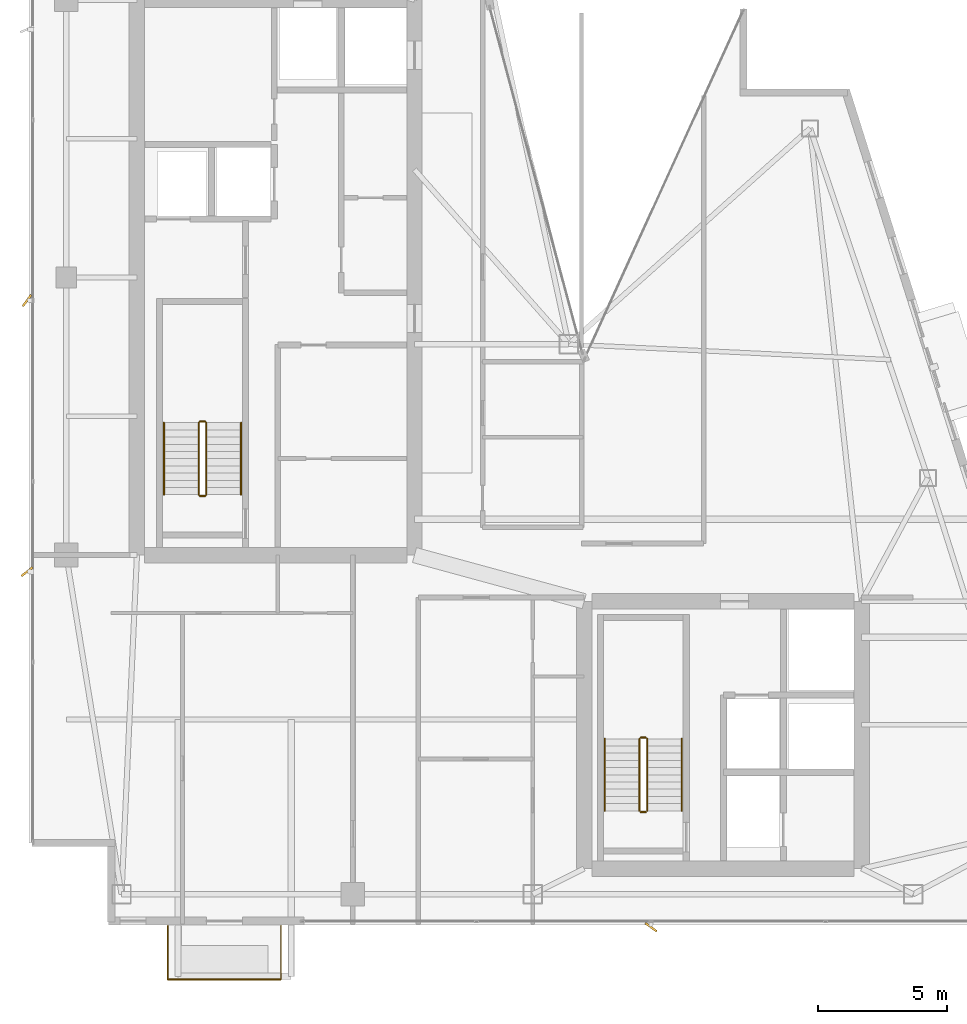
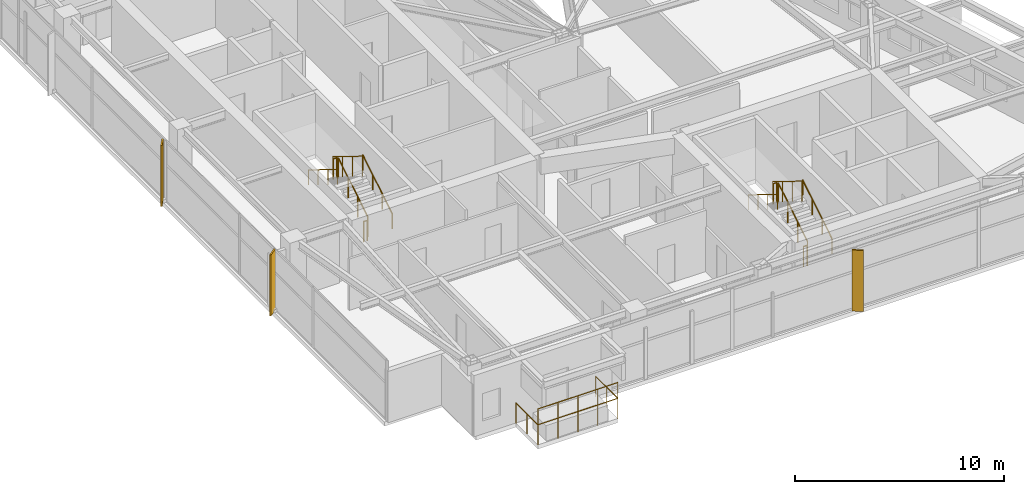
# One storey, part 26 of 27: 14 railings, 3 shading devices.
"""IFC4 building model written with IfcOpenShell, lengths in metres."""

import ifcopenshell
import ifcopenshell.guid

model = None  # the IFC model being written
_history = None  # IfcOwnerHistory: only IFC2X3 demands one
_inside = {}  # id of a spatial element -> (the spatial element, [elements in it])
_under = {}  # id of a project, library or spatial element -> (it, [spatial elements below it])
_declared = {}  # id of a project -> (the project, [libraries it declares])
_typed = {}  # id of a type object -> (the type object, [elements of that type])
_made_of = {}  # id of a material, layer set ... -> (it, [elements and type objects made of it])


def new_model(schema):
    """Start an empty IFC model of exactly this schema.

    Asked for "IFC4X3", IfcOpenShell would pick the latest addendum, in which some entities
    have other attributes; the version numbers below select the first issue.
    IFC2X3 requires an IfcOwnerHistory on every rooted entity: one is made here for all.
    """
    global model, _history
    if schema == "IFC4X3":
        model = ifcopenshell.file(schema_version=(4, 3, 0, 0))
    else:
        model = ifcopenshell.file(schema=schema)
    _inside.clear()
    _under.clear()
    _declared.clear()
    _typed.clear()
    _made_of.clear()
    _history = None
    if model.schema == "IFC2X3":
        org = make("IfcOrganization", Name="unknown")
        user = make(
            "IfcPersonAndOrganization",
            ThePerson=make("IfcPerson", FamilyName="unknown"),
            TheOrganization=org,
        )
        app = make(
            "IfcApplication",
            ApplicationDeveloper=org,
            Version="unknown",
            ApplicationFullName="unknown",
            ApplicationIdentifier="unknown",
        )
        _history = make(
            "IfcOwnerHistory",
            OwningUser=user,
            OwningApplication=app,
            ChangeAction="ADDED",
            CreationDate=0,
        )
    return model


def make(cls, **values):
    """One entity of the class cls with the attributes given. An attribute that is None is left unset."""
    return model.create_entity(
        cls, **{name: value for name, value in values.items() if value is not None}
    )


def rooted(cls, **values):
    """An entity with a GlobalId (a new one), such as an element, a storey or a relation."""
    return make(cls, GlobalId=ifcopenshell.guid.new(), OwnerHistory=_history, **values)


def si_unit(unit_type, name, prefix=None):
    """IfcSIUnit, for example si_unit("LENGTHUNIT", "METRE", prefix="MILLI")."""
    return make("IfcSIUnit", UnitType=unit_type, Prefix=prefix, Name=name)


def assignment(units):
    """IfcUnitAssignment: the units of a project."""
    return None if units is None else make("IfcUnitAssignment", Units=units)


def point(xyz):
    """IfcCartesianPoint."""
    return None if xyz is None else make("IfcCartesianPoint", Coordinates=xyz)


def direction(xyz):
    """IfcDirection."""
    return None if xyz is None else make("IfcDirection", DirectionRatios=xyz)


def frame(location, z_axis=None, x_axis=None):
    """IfcAxis2Placement3D, a coordinate frame: its origin and axes. An axis left out is left unset."""
    return make(
        "IfcAxis2Placement3D",
        Location=point(location),
        Axis=direction(z_axis),
        RefDirection=direction(x_axis),
    )


def frame_2d(location, x_axis=None):
    """IfcAxis2Placement2D, a coordinate frame in the plane: its origin and x axis."""
    return make(
        "IfcAxis2Placement2D", Location=point(location), RefDirection=direction(x_axis)
    )


def origin():
    """The frame at (0, 0, 0) with its axes left unset."""
    return frame((0.0, 0.0, 0.0))


def origin_2d():
    """The frame at (0, 0) in the plane with its x axis left unset."""
    return frame_2d((0.0, 0.0))


def place(relative_to, where):
    """IfcLocalPlacement: puts the frame where relative to a parent placement (None: the world)."""
    return make(
        "IfcLocalPlacement", PlacementRelTo=relative_to, RelativePlacement=where
    )


def context(
    kind, dimensions, precision=None, world=None, true_north=None, identifier=None
):
    """IfcGeometricRepresentationContext, for example the 3D "Model" context."""
    return make(
        "IfcGeometricRepresentationContext",
        ContextIdentifier=identifier,
        ContextType=kind,
        CoordinateSpaceDimension=dimensions,
        Precision=precision,
        WorldCoordinateSystem=world,
        TrueNorth=true_north,
    )


def subcontext(parent, identifier, kind, view, scale=None):
    """IfcGeometricRepresentationSubContext, for example "Body" below "Model"."""
    return make(
        "IfcGeometricRepresentationSubContext",
        ContextIdentifier=identifier,
        ContextType=kind,
        ParentContext=parent,
        TargetScale=scale,
        TargetView=view,
    )


def project(units=None, contexts=None):
    """IfcProject with its units and contexts."""
    return rooted(
        "IfcProject",
        Name="project",
        RepresentationContexts=contexts,
        UnitsInContext=assignment(units),
    )


def spatial(cls, under=None, at=None, **own):
    """A site, building, storey or space (cls), placed at a placement, below another one or the project."""
    s = rooted(cls, ObjectPlacement=at, **own)
    if under is not None:
        _under.setdefault(under.id(), (under, []))[1].append(s)
    return s


def profile(cls, at=None, kind="AREA", **sizes):
    """A parametric profile (cls). Its sizes go by their IFC names, for example OverallWidth=200.0."""
    return make(cls, ProfileType=kind, Position=at, **sizes)


def rectangle(**sizes):
    """IfcRectangleProfileDef."""
    return profile("IfcRectangleProfileDef", **sizes)


def circle(**sizes):
    """IfcCircleProfileDef."""
    return profile("IfcCircleProfileDef", **sizes)


def extrude(swept, where, along, depth):
    """IfcExtrudedAreaSolid: the profile swept, set in the frame where, extruded along a direction by depth."""
    return make(
        "IfcExtrudedAreaSolid",
        SweptArea=swept,
        Position=where,
        ExtrudedDirection=direction(along),
        Depth=depth,
    )


def shape(context_of_items, identifier, shape_type, items):
    """IfcShapeRepresentation: the items that make up one representation, for example the "Body"."""
    return make(
        "IfcShapeRepresentation",
        ContextOfItems=context_of_items,
        RepresentationIdentifier=identifier,
        RepresentationType=shape_type,
        Items=items,
    )


def material(Name=None, Category=None):
    """IfcMaterial."""
    return make("IfcMaterial", Name=Name, Category=Category)


def made_of(thing, what):
    """Note that an element or type object is made of a material, layer set ...; save() writes the relation."""
    if what is not None:
        _made_of.setdefault(what.id(), (what, []))[1].append(thing)
    return thing


def type_object(cls, material=None, **own):
    """A type object (cls), such as IfcWallType, which elements share."""
    return made_of(rooted(cls, **own), material)


def element(
    cls,
    number,
    at=None,
    inside=None,
    cuts=None,
    type_object=None,
    material=None,
    context=None,
    identifier="Body",
    shape_type=None,
    held_by="IfcProductDefinitionShape",
    body=None,
    shapes=None,
    **own,
):
    """One element of the class cls, such as IfcWall. Its Tag is "e" and its number.

    at: its placement. inside: the storey or other place that contains it. cuts: it is an
    opening in that element (IfcRelVoidsElement). A single representation is given by context,
    identifier, shape_type and body (its items); several are given by shapes. held_by: the class
    of the entity that holds the representations. save() writes the other relations.
    """
    e = rooted(cls, Tag="e%d" % number, ObjectPlacement=at, **own)
    if body is not None:
        shapes = [shape(context, identifier, shape_type, body)]
    if shapes is not None:
        e.Representation = make(held_by, Representations=shapes)
    if inside is not None:
        _inside.setdefault(inside.id(), (inside, []))[1].append(e)
    if cuts is not None:
        rooted(
            "IfcRelVoidsElement", RelatingBuildingElement=cuts, RelatedOpeningElement=e
        )
    if type_object is not None:
        _typed.setdefault(type_object.id(), (type_object, []))[1].append(e)
    return made_of(e, material)


def aggregate(whole, parts):
    """IfcRelAggregates: a whole, such as a stair, and the parts it consists of."""
    return rooted("IfcRelAggregates", RelatingObject=whole, RelatedObjects=parts)


def save(model, path):
    """Write the relations noted so far, then the file.

    IfcRelAggregates (storeys below a building ...), IfcRelContainedInSpatialStructure (elements
    in a storey), IfcRelDefinesByType, IfcRelAssociatesMaterial and IfcRelDeclares: one each for
    every whole, place, type object, material and project.
    """
    for whole, parts in _under.values():
        aggregate(whole, parts)
    for where, things in _inside.values():
        rooted(
            "IfcRelContainedInSpatialStructure",
            RelatedElements=things,
            RelatingStructure=where,
        )
    for kind, things in _typed.values():
        rooted("IfcRelDefinesByType", RelatedObjects=things, RelatingType=kind)
    for what, things in _made_of.values():
        rooted("IfcRelAssociatesMaterial", RelatedObjects=things, RelatingMaterial=what)
    for by, libraries in _declared.values():
        rooted("IfcRelDeclares", RelatingContext=by, RelatedDefinitions=libraries)
    model.write(path)


model = new_model("IFC4")

# Units and contexts
model_context = context("Model", 3, precision=1e-05, world=origin(), true_north=direction((0.0, 1.0)))
body_context = subcontext(model_context, "Body", "Model", "MODEL_VIEW")
ifc_project = project(units=[si_unit("LENGTHUNIT", "METRE"), si_unit("AREAUNIT", "SQUARE_METRE"), si_unit("VOLUMEUNIT", "CUBIC_METRE"), si_unit("PLANEANGLEUNIT", "RADIAN"), si_unit("MASSUNIT", "GRAM", prefix="KILO")], contexts=[model_context])

# Site, building, storey
site_placement = place(None, origin())
site = spatial("IfcSite", under=ifc_project, at=site_placement, CompositionType="ELEMENT")
building_placement = place(site_placement, origin())
building = spatial("IfcBuilding", under=site, at=building_placement, Name="Calvorn Quay Hotel", CompositionType="ELEMENT")
storey_placement = place(building_placement, frame((0.0, 0.0, 291.10009765625)))
storey = spatial("IfcBuildingStorey", under=building, at=storey_placement, Name="L72", CompositionType="ELEMENT", Elevation=291.10009765625)

# Railings
ifc_material_1 = material(Name="Pale Anodised Aluminium and Laminated Glass", Category="aluminium")
railing_type_1 = type_object("IfcRailingType", Name="RLG-BALUSTRADE-1200", PredefinedType="BALUSTRADE", material=ifc_material_1)
railing_1_placement = place(storey_placement, frame((5.39990234375, 2.389892578125, 0.0)))
element("IfcRailing", 1, at=railing_1_placement, inside=storey, type_object=railing_type_1, Name="Tree Balcony Perimeter Balustrade L72-BALC-S", PredefinedType="BALUSTRADE", context=body_context, shape_type="SweptSolid", body=[
    extrude(circle(Radius=0.02392578125, at=origin_2d()), frame((0.0, 0.0, 1.17578125), z_axis=(0.0, -1.0, 0.0), x_axis=(1.0, 0.0, 0.0)), (0.0, 0.0, 1.0), 2.099853515625),
    extrude(circle(Radius=0.02392578125, at=origin_2d()), frame((0.0, -2.099853515625, 1.17578125), z_axis=(1.0, 0.0, 0.0), x_axis=(0.0, 1.0, 0.0)), (0.0, 0.0, 1.0), 4.400146484375),
    extrude(circle(Radius=0.02392578125, at=origin_2d()), frame((4.400146484375, -2.099853515625, 1.17578125), z_axis=(0.0, 1.0, 0.0), x_axis=(-1.0, 0.0, 0.0)), (0.0, 0.0, 1.0), 2.099853515625),
    extrude(circle(Radius=0.02099609375, at=origin_2d()), origin(), (0.0, 0.0, 1.0), 1.15185546875),
    extrude(circle(Radius=0.02099609375, at=origin_2d()), frame((0.0, -1.0498046875, 0.0)), (0.0, 0.0, 1.0), 1.15185546875),
    extrude(circle(Radius=0.02099609375, at=origin_2d()), frame((0.0, -2.099853515625, 0.0)), (0.0, 0.0, 1.0), 1.15185546875),
    extrude(circle(Radius=0.02099609375, at=origin_2d()), frame((1.10009765625, -2.099853515625, 0.0)), (0.0, 0.0, 1.0), 1.15185546875),
    extrude(circle(Radius=0.02099609375, at=origin_2d()), frame((2.2001953125, -2.099853515625, 0.0)), (0.0, 0.0, 1.0), 1.15185546875),
    extrude(circle(Radius=0.02099609375, at=origin_2d()), frame((3.300048828125, -2.099853515625, 0.0)), (0.0, 0.0, 1.0), 1.15185546875),
    extrude(circle(Radius=0.02099609375, at=origin_2d()), frame((4.400146484375, -2.099853515625, 0.0)), (0.0, 0.0, 1.0), 1.15185546875),
    extrude(circle(Radius=0.02099609375, at=origin_2d()), frame((4.400146484375, -1.0498046875, 0.0)), (0.0, 0.0, 1.0), 1.15185546875),
    extrude(circle(Radius=0.02099609375, at=origin_2d()), frame((4.400146484375, 0.0, 0.0)), (0.0, 0.0, 1.0), 1.15185546875),
])
railing_2_placement = place(storey_placement, frame((5.39990234375, 0.2900390625, 0.89990234375)))
element("IfcRailing", 2, at=railing_2_placement, inside=storey, type_object=railing_type_1, Name="Planter Kerb High Safety Screen L72-BALC-S", PredefinedType="BALUSTRADE", context=body_context, shape_type="SweptSolid", body=[
    extrude(circle(Radius=0.02392578125, at=origin_2d()), frame((0.0, 0.0, 1.19580078125), z_axis=(1.0, 0.0, 0.0), x_axis=(0.0, 1.0, 0.0)), (0.0, 0.0, 1.0), 4.400146484375),
    extrude(circle(Radius=0.02099609375, at=origin_2d()), origin(), (0.0, 0.0, 1.0), 1.171875),
    extrude(circle(Radius=0.02099609375, at=origin_2d()), frame((1.10009765625, 0.0, 0.0)), (0.0, 0.0, 1.0), 1.171875),
    extrude(circle(Radius=0.02099609375, at=origin_2d()), frame((2.2001953125, 0.0, 0.0)), (0.0, 0.0, 1.0), 1.171875),
    extrude(circle(Radius=0.02099609375, at=origin_2d()), frame((3.300048828125, 0.0, 0.0)), (0.0, 0.0, 1.0), 1.171875),
    extrude(circle(Radius=0.02099609375, at=origin_2d()), frame((4.400146484375, 0.0, 0.0)), (0.0, 0.0, 1.0), 1.171875),
])
ifc_material_2 = material(Name="Brushed Stainless Steel Handrail", Category="steel")
railing_type_2 = type_object("IfcRailingType", Name="RLG-HANDRAIL-900", PredefinedType="HANDRAIL", material=ifc_material_2)
railing_3_placement = place(storey_placement, frame((8.25, 19.14990234375, 0.172607421875)))
element("IfcRailing", 3, at=railing_3_placement, inside=storey, type_object=railing_type_2, Name="L72 ST-W stair handrail 1", PredefinedType="HANDRAIL", context=body_context, shape_type="SweptSolid", body=[
    extrude(circle(Radius=0.02392578125, at=origin_2d()), frame((0.0, 0.0, 0.8759765625), z_axis=(0.0, 0.851089632645, 0.525020415988), x_axis=(-1.0, 0.0, 0.0)), (0.0, 0.0, 1.0), 3.2900390625),
    extrude(circle(Radius=0.02099609375, at=origin_2d()), origin(), (0.0, 0.0, 1.0), 0.851806640625),
    extrude(circle(Radius=0.02099609375, at=origin_2d()), frame((0.0, 0.933349609375, 0.57568359375)), (0.0, 0.0, 1.0), 0.851806640625),
    extrude(circle(Radius=0.02099609375, at=origin_2d()), frame((0.0, 1.86669921875, 1.151611328125)), (0.0, 0.0, 1.0), 0.851806640625),
    extrude(circle(Radius=0.02099609375, at=origin_2d()), frame((0.0, 2.800048828125, 1.727294921875)), (0.0, 0.0, 1.0), 0.851806640625),
])
railing_4_placement = place(storey_placement, frame((5.25, 21.949951171875, 2.072509765625)))
element("IfcRailing", 4, at=railing_4_placement, inside=storey, type_object=railing_type_2, Name="L72 ST-W stair handrail 2", PredefinedType="HANDRAIL", context=body_context, shape_type="SweptSolid", body=[
    extrude(circle(Radius=0.02392578125, at=origin_2d()), frame((0.0, 0.0, 0.8759765625), z_axis=(0.0, -0.851089632645, 0.525020415988), x_axis=(1.0, 0.0, 0.0)), (0.0, 0.0, 1.0), 3.2900390625),
    extrude(circle(Radius=0.02099609375, at=origin_2d()), origin(), (0.0, 0.0, 1.0), 0.851806640625),
    extrude(circle(Radius=0.02099609375, at=origin_2d()), frame((0.0, -0.933349609375, 0.57568359375)), (0.0, 0.0, 1.0), 0.851806640625),
    extrude(circle(Radius=0.02099609375, at=origin_2d()), frame((0.0, -1.86669921875, 1.151611328125)), (0.0, 0.0, 1.0), 0.851806640625),
    extrude(circle(Radius=0.02099609375, at=origin_2d()), frame((0.0, -2.800048828125, 1.727294921875)), (0.0, 0.0, 1.0), 0.851806640625),
])
railing_5_placement = place(storey_placement, frame((25.39990234375, 6.85009765625, 0.172607421875)))
element("IfcRailing", 5, at=railing_5_placement, inside=storey, type_object=railing_type_2, Name="L72 ST-E stair handrail 1", PredefinedType="HANDRAIL", context=body_context, shape_type="SweptSolid", body=[
    extrude(circle(Radius=0.02392578125, at=origin_2d()), frame((0.0, 0.0, 0.8759765625), z_axis=(0.0, 0.851069175582, 0.525053576669), x_axis=(-1.0, 0.0, 0.0)), (0.0, 0.0, 1.0), 3.289794921875),
    extrude(circle(Radius=0.02099609375, at=origin_2d()), origin(), (0.0, 0.0, 1.0), 0.851806640625),
    extrude(circle(Radius=0.02099609375, at=origin_2d()), frame((0.0, 0.933349609375, 0.57568359375)), (0.0, 0.0, 1.0), 0.851806640625),
    extrude(circle(Radius=0.02099609375, at=origin_2d()), frame((0.0, 1.866455078125, 1.151611328125)), (0.0, 0.0, 1.0), 0.851806640625),
    extrude(circle(Radius=0.02099609375, at=origin_2d()), frame((0.0, 2.7998046875, 1.727294921875)), (0.0, 0.0, 1.0), 0.851806640625),
])
railing_6_placement = place(storey_placement, frame((22.39990234375, 9.64990234375, 2.072509765625)))
element("IfcRailing", 6, at=railing_6_placement, inside=storey, type_object=railing_type_2, Name="L72 ST-E stair handrail 2", PredefinedType="HANDRAIL", context=body_context, shape_type="SweptSolid", body=[
    extrude(circle(Radius=0.02392578125, at=origin_2d()), frame((0.0, 0.0, 0.8759765625), z_axis=(0.0, -0.851069175582, 0.525053576669), x_axis=(1.0, 0.0, 0.0)), (0.0, 0.0, 1.0), 3.289794921875),
    extrude(circle(Radius=0.02099609375, at=origin_2d()), origin(), (0.0, 0.0, 1.0), 0.851806640625),
    extrude(circle(Radius=0.02099609375, at=origin_2d()), frame((0.0, -0.933349609375, 0.57568359375)), (0.0, 0.0, 1.0), 0.851806640625),
    extrude(circle(Radius=0.02099609375, at=origin_2d()), frame((0.0, -1.866455078125, 1.151611328125)), (0.0, 0.0, 1.0), 0.851806640625),
    extrude(circle(Radius=0.02099609375, at=origin_2d()), frame((0.0, -2.7998046875, 1.727294921875)), (0.0, 0.0, 1.0), 0.851806640625),
])
ifc_material_3 = material(Name="Painted Galvanised Steel Balustrade", Category="steel")
railing_type_3 = type_object("IfcRailingType", Name="RLG-STAIR-GUARD-1120", PredefinedType="GUARDRAIL", material=ifc_material_3)
railing_7_placement = place(storey_placement, frame((6.89990234375, 19.14990234375, 0.172607421875)))
element("IfcRailing", 7, at=railing_7_placement, inside=storey, type_object=railing_type_3, Name="L72 ST-W stair guard 1", PredefinedType="GUARDRAIL", context=body_context, shape_type="SweptSolid", body=[
    extrude(circle(Radius=0.02392578125, at=origin_2d()), frame((0.0, 0.0, 1.17578125), z_axis=(0.0, 0.851089632645, 0.525020415988), x_axis=(-1.0, 0.0, 0.0)), (0.0, 0.0, 1.0), 3.2900390625),
    extrude(circle(Radius=0.02099609375, at=origin_2d()), origin(), (0.0, 0.0, 1.0), 1.15185546875),
    extrude(circle(Radius=0.02099609375, at=origin_2d()), frame((0.0, 0.933349609375, 0.57568359375)), (0.0, 0.0, 1.0), 1.15185546875),
    extrude(circle(Radius=0.02099609375, at=origin_2d()), frame((0.0, 1.86669921875, 1.151611328125)), (0.0, 0.0, 1.0), 1.15185546875),
    extrude(circle(Radius=0.02099609375, at=origin_2d()), frame((0.0, 2.800048828125, 1.727294921875)), (0.0, 0.0, 1.0), 1.15185546875),
])
railing_8_placement = place(storey_placement, frame((6.85009765625, 22.0, 1.89990234375)))
element("IfcRailing", 8, at=railing_8_placement, inside=storey, type_object=railing_type_3, Name="L72 ST-W stair guard 2", PredefinedType="GUARDRAIL", context=body_context, shape_type="SweptSolid", body=[
    extrude(circle(Radius=0.02392578125, at=origin_2d()), frame((0.0, 0.0, 1.17578125), z_axis=(-1.0, 0.0, 0.0), x_axis=(0.0, -1.0, 0.0)), (0.0, 0.0, 1.0), 0.2001953125),
    extrude(circle(Radius=0.02099609375, at=origin_2d()), origin(), (0.0, 0.0, 1.0), 1.15185546875),
    extrude(circle(Radius=0.02099609375, at=origin_2d()), frame((-0.2001953125, 0.0, 0.0)), (0.0, 0.0, 1.0), 1.15185546875),
])
railing_9_placement = place(storey_placement, frame((6.60009765625, 21.949951171875, 2.072509765625)))
element("IfcRailing", 9, at=railing_9_placement, inside=storey, type_object=railing_type_3, Name="L72 ST-W stair guard 3", PredefinedType="GUARDRAIL", context=body_context, shape_type="SweptSolid", body=[
    extrude(circle(Radius=0.02392578125, at=origin_2d()), frame((0.0, 0.0, 1.17578125), z_axis=(0.0, -0.851089632645, 0.525020415988), x_axis=(1.0, 0.0, 0.0)), (0.0, 0.0, 1.0), 3.2900390625),
    extrude(circle(Radius=0.02099609375, at=origin_2d()), origin(), (0.0, 0.0, 1.0), 1.15185546875),
    extrude(circle(Radius=0.02099609375, at=origin_2d()), frame((0.0, -0.933349609375, 0.57568359375)), (0.0, 0.0, 1.0), 1.15185546875),
    extrude(circle(Radius=0.02099609375, at=origin_2d()), frame((0.0, -1.86669921875, 1.151611328125)), (0.0, 0.0, 1.0), 1.15185546875),
    extrude(circle(Radius=0.02099609375, at=origin_2d()), frame((0.0, -2.800048828125, 1.727294921875)), (0.0, 0.0, 1.0), 1.15185546875),
])
railing_10_placement = place(storey_placement, frame((6.85009765625, 19.10009765625, 0.0)))
element("IfcRailing", 10, at=railing_10_placement, inside=storey, type_object=railing_type_3, Name="L72 ST-W stair guard 4", PredefinedType="GUARDRAIL", context=body_context, shape_type="SweptSolid", body=[
    extrude(circle(Radius=0.02392578125, at=origin_2d()), frame((0.0, 0.0, 1.17578125), z_axis=(-1.0, 0.0, 0.0), x_axis=(0.0, -1.0, 0.0)), (0.0, 0.0, 1.0), 0.2001953125),
    extrude(circle(Radius=0.02099609375, at=origin_2d()), origin(), (0.0, 0.0, 1.0), 1.15185546875),
    extrude(circle(Radius=0.02099609375, at=origin_2d()), frame((-0.2001953125, 0.0, 0.0)), (0.0, 0.0, 1.0), 1.15185546875),
])
railing_11_placement = place(storey_placement, frame((24.050048828125, 6.85009765625, 0.172607421875)))
element("IfcRailing", 11, at=railing_11_placement, inside=storey, type_object=railing_type_3, Name="L72 ST-E stair guard 1", PredefinedType="GUARDRAIL", context=body_context, shape_type="SweptSolid", body=[
    extrude(circle(Radius=0.02392578125, at=origin_2d()), frame((0.0, 0.0, 1.17578125), z_axis=(0.0, 0.851069175582, 0.525053576669), x_axis=(-1.0, 0.0, 0.0)), (0.0, 0.0, 1.0), 3.289794921875),
    extrude(circle(Radius=0.02099609375, at=origin_2d()), origin(), (0.0, 0.0, 1.0), 1.15185546875),
    extrude(circle(Radius=0.02099609375, at=origin_2d()), frame((0.0, 0.933349609375, 0.57568359375)), (0.0, 0.0, 1.0), 1.15185546875),
    extrude(circle(Radius=0.02099609375, at=origin_2d()), frame((0.0, 1.866455078125, 1.151611328125)), (0.0, 0.0, 1.0), 1.15185546875),
    extrude(circle(Radius=0.02099609375, at=origin_2d()), frame((0.0, 2.7998046875, 1.727294921875)), (0.0, 0.0, 1.0), 1.15185546875),
])
railing_12_placement = place(storey_placement, frame((24.0, 9.699951171875, 1.89990234375)))
element("IfcRailing", 12, at=railing_12_placement, inside=storey, type_object=railing_type_3, Name="L72 ST-E stair guard 2", PredefinedType="GUARDRAIL", context=body_context, shape_type="SweptSolid", body=[
    extrude(circle(Radius=0.02392578125, at=origin_2d()), frame((0.0, 0.0, 1.17578125), z_axis=(-1.0, 0.0, 0.0), x_axis=(0.0, -1.0, 0.0)), (0.0, 0.0, 1.0), 0.199951171875),
    extrude(circle(Radius=0.02099609375, at=origin_2d()), origin(), (0.0, 0.0, 1.0), 1.15185546875),
    extrude(circle(Radius=0.02099609375, at=origin_2d()), frame((-0.199951171875, 0.0, 0.0)), (0.0, 0.0, 1.0), 1.15185546875),
])
railing_13_placement = place(storey_placement, frame((23.75, 9.64990234375, 2.072509765625)))
element("IfcRailing", 13, at=railing_13_placement, inside=storey, type_object=railing_type_3, Name="L72 ST-E stair guard 3", PredefinedType="GUARDRAIL", context=body_context, shape_type="SweptSolid", body=[
    extrude(circle(Radius=0.02392578125, at=origin_2d()), frame((0.0, 0.0, 1.17578125), z_axis=(0.0, -0.851069175582, 0.525053576669), x_axis=(1.0, 0.0, 0.0)), (0.0, 0.0, 1.0), 3.289794921875),
    extrude(circle(Radius=0.02099609375, at=origin_2d()), origin(), (0.0, 0.0, 1.0), 1.15185546875),
    extrude(circle(Radius=0.02099609375, at=origin_2d()), frame((0.0, -0.933349609375, 0.57568359375)), (0.0, 0.0, 1.0), 1.15185546875),
    extrude(circle(Radius=0.02099609375, at=origin_2d()), frame((0.0, -1.866455078125, 1.151611328125)), (0.0, 0.0, 1.0), 1.15185546875),
    extrude(circle(Radius=0.02099609375, at=origin_2d()), frame((0.0, -2.7998046875, 1.727294921875)), (0.0, 0.0, 1.0), 1.15185546875),
])
railing_14_placement = place(storey_placement, frame((24.0, 6.800048828125, 0.0)))
element("IfcRailing", 14, at=railing_14_placement, inside=storey, type_object=railing_type_3, Name="L72 ST-E stair guard 4", PredefinedType="GUARDRAIL", context=body_context, shape_type="SweptSolid", body=[
    extrude(circle(Radius=0.02392578125, at=origin_2d()), frame((0.0, 0.0, 1.17578125), z_axis=(-1.0, 0.0, 0.0), x_axis=(0.0, -1.0, 0.0)), (0.0, 0.0, 1.0), 0.199951171875),
    extrude(circle(Radius=0.02099609375, at=origin_2d()), origin(), (0.0, 0.0, 1.0), 1.15185546875),
    extrude(circle(Radius=0.02099609375, at=origin_2d()), frame((-0.199951171875, 0.0, 0.0)), (0.0, 0.0, 1.0), 1.15185546875),
])

# Shading devices
ifc_material_4 = material(Name="Champagne Bronze Anodised Aluminium 6063-T6", Category="aluminium")
shading_device_type_1 = type_object("IfcShadingDeviceType", Name="SHD-FIN-A2", PredefinedType="USERDEFINED", material=ifc_material_4)
shading_device_placement = place(storey_placement, frame((-0.080078125, 16.14990234375, -0.000244140625), z_axis=(0.0, 0.0, 1.0), x_axis=(0.788010753607, 0.615661475326, 0.0)))
element("IfcShadingDevice", 15, at=shading_device_placement, inside=storey, type_object=shading_device_type_1, Name="Diagonal Sun-Shading Fin L72-W01", ObjectType="FIN", PredefinedType="USERDEFINED", context=body_context, shape_type="SweptSolid", body=[
    extrude(rectangle(XDim=0.550048828125, YDim=0.080078125, at=origin_2d()), origin(), (0.0, 0.0, 1.0), 3.56005859375),
])
ifc_material_5 = material(Name="Champagne Bronze Anodised Aluminium 6063-T6", Category="aluminium")
shading_device_type_2 = type_object("IfcShadingDeviceType", Name="SHD-FIN-A3", PredefinedType="USERDEFINED", material=ifc_material_5)
for number, where, z_axis, x_axis, name in (
    (16, (-0.080078125, 26.699951171875, -0.000244140625), (0.0, 0.0, 1.0), (0.587785252292, 0.809016994375, 0.0), "Diagonal Sun-Shading Fin L72-W02"),
    (17, (24.199951171875, 2.320068359375, -0.000244140625), (0.0, 0.0, 1.0), (-0.809016994375, 0.587785252292, 0.0), "Diagonal Sun-Shading Fin L72-S01"),
):
    element("IfcShadingDevice", number, at=place(storey_placement, frame(where, z_axis=z_axis, x_axis=x_axis)), inside=storey, type_object=shading_device_type_2, Name=name, ObjectType="FIN", PredefinedType="USERDEFINED", context=body_context, shape_type="SweptSolid", body=[
        extrude(rectangle(XDim=0.550048828125, YDim=0.080078125, at=origin_2d()), origin(), (0.0, 0.0, 1.0), 3.56005859375),
    ])

save(model, "model.ifc")
